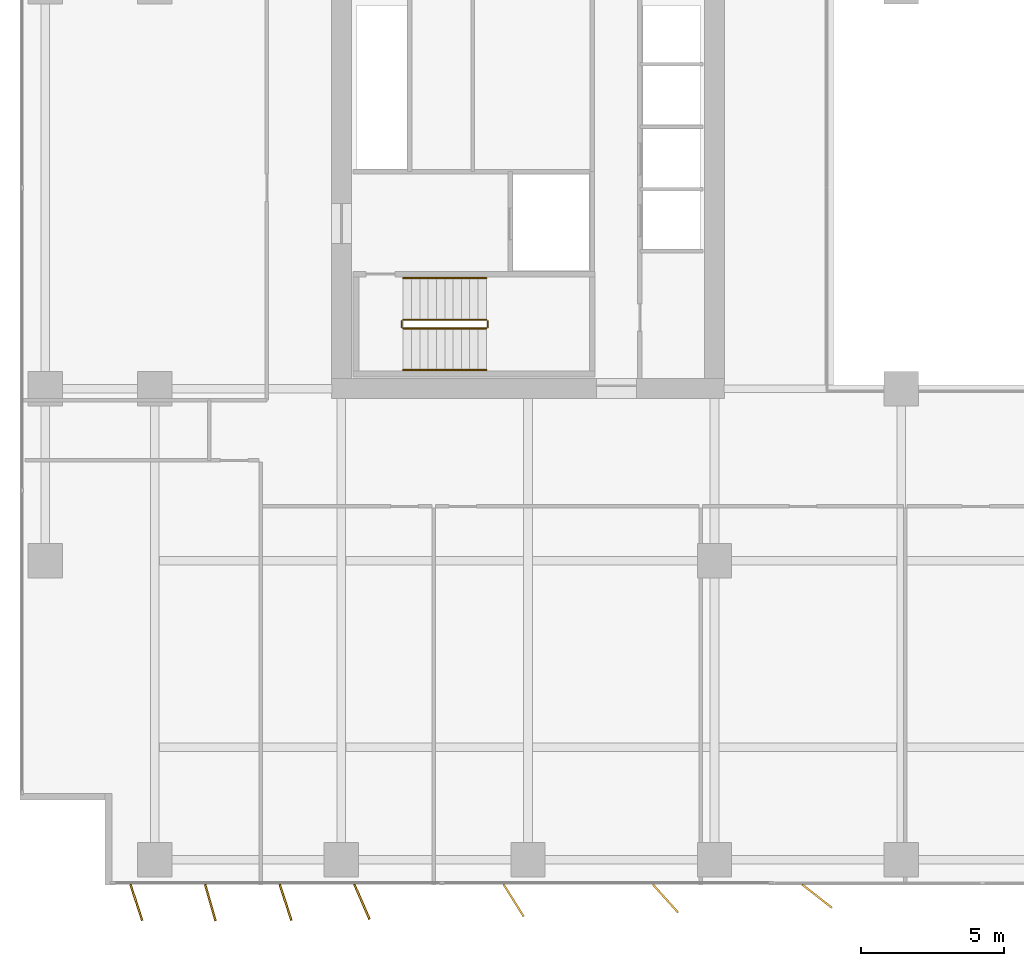
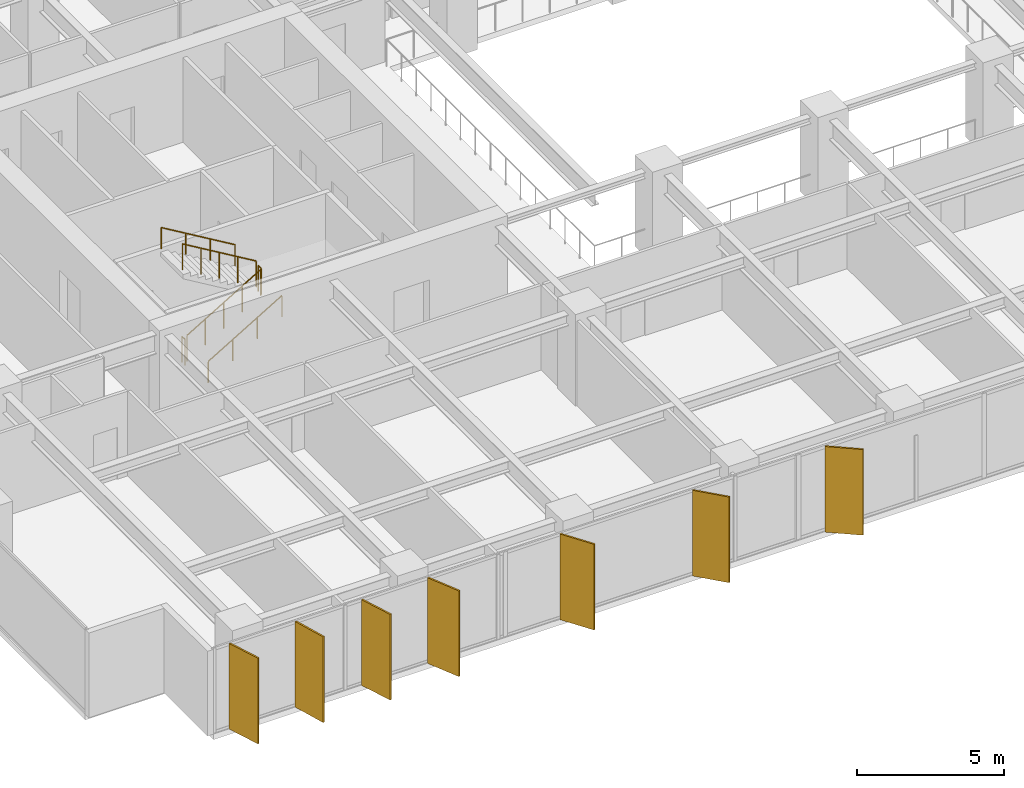
# One storey, part 17 of 20: 7 shading devices, 6 railings.
"""IFC4 building model written with IfcOpenShell, lengths in metres."""

import ifcopenshell
import ifcopenshell.guid

model = None  # the IFC model being written
_history = None  # IfcOwnerHistory: only IFC2X3 demands one
_inside = {}  # id of a spatial element -> (the spatial element, [elements in it])
_under = {}  # id of a project, library or spatial element -> (it, [spatial elements below it])
_declared = {}  # id of a project -> (the project, [libraries it declares])
_typed = {}  # id of a type object -> (the type object, [elements of that type])
_made_of = {}  # id of a material, layer set ... -> (it, [elements and type objects made of it])


def new_model(schema):
    """Start an empty IFC model of exactly this schema.

    Asked for "IFC4X3", IfcOpenShell would pick the latest addendum, in which some entities
    have other attributes; the version numbers below select the first issue.
    IFC2X3 requires an IfcOwnerHistory on every rooted entity: one is made here for all.
    """
    global model, _history
    if schema == "IFC4X3":
        model = ifcopenshell.file(schema_version=(4, 3, 0, 0))
    else:
        model = ifcopenshell.file(schema=schema)
    _inside.clear()
    _under.clear()
    _declared.clear()
    _typed.clear()
    _made_of.clear()
    _history = None
    if model.schema == "IFC2X3":
        org = make("IfcOrganization", Name="unknown")
        user = make(
            "IfcPersonAndOrganization",
            ThePerson=make("IfcPerson", FamilyName="unknown"),
            TheOrganization=org,
        )
        app = make(
            "IfcApplication",
            ApplicationDeveloper=org,
            Version="unknown",
            ApplicationFullName="unknown",
            ApplicationIdentifier="unknown",
        )
        _history = make(
            "IfcOwnerHistory",
            OwningUser=user,
            OwningApplication=app,
            ChangeAction="ADDED",
            CreationDate=0,
        )
    return model


def make(cls, **values):
    """One entity of the class cls with the attributes given. An attribute that is None is left unset."""
    return model.create_entity(
        cls, **{name: value for name, value in values.items() if value is not None}
    )


def rooted(cls, **values):
    """An entity with a GlobalId (a new one), such as an element, a storey or a relation."""
    return make(cls, GlobalId=ifcopenshell.guid.new(), OwnerHistory=_history, **values)


def si_unit(unit_type, name, prefix=None):
    """IfcSIUnit, for example si_unit("LENGTHUNIT", "METRE", prefix="MILLI")."""
    return make("IfcSIUnit", UnitType=unit_type, Prefix=prefix, Name=name)


def assignment(units):
    """IfcUnitAssignment: the units of a project."""
    return None if units is None else make("IfcUnitAssignment", Units=units)


def point(xyz):
    """IfcCartesianPoint."""
    return None if xyz is None else make("IfcCartesianPoint", Coordinates=xyz)


def direction(xyz):
    """IfcDirection."""
    return None if xyz is None else make("IfcDirection", DirectionRatios=xyz)


def frame(location, z_axis=None, x_axis=None):
    """IfcAxis2Placement3D, a coordinate frame: its origin and axes. An axis left out is left unset."""
    return make(
        "IfcAxis2Placement3D",
        Location=point(location),
        Axis=direction(z_axis),
        RefDirection=direction(x_axis),
    )


def frame_2d(location, x_axis=None):
    """IfcAxis2Placement2D, a coordinate frame in the plane: its origin and x axis."""
    return make(
        "IfcAxis2Placement2D", Location=point(location), RefDirection=direction(x_axis)
    )


def origin():
    """The frame at (0, 0, 0) with its axes left unset."""
    return frame((0.0, 0.0, 0.0))


def origin_2d():
    """The frame at (0, 0) in the plane with its x axis left unset."""
    return frame_2d((0.0, 0.0))


def place(relative_to, where):
    """IfcLocalPlacement: puts the frame where relative to a parent placement (None: the world)."""
    return make(
        "IfcLocalPlacement", PlacementRelTo=relative_to, RelativePlacement=where
    )


def context(
    kind, dimensions, precision=None, world=None, true_north=None, identifier=None
):
    """IfcGeometricRepresentationContext, for example the 3D "Model" context."""
    return make(
        "IfcGeometricRepresentationContext",
        ContextIdentifier=identifier,
        ContextType=kind,
        CoordinateSpaceDimension=dimensions,
        Precision=precision,
        WorldCoordinateSystem=world,
        TrueNorth=true_north,
    )


def subcontext(parent, identifier, kind, view, scale=None):
    """IfcGeometricRepresentationSubContext, for example "Body" below "Model"."""
    return make(
        "IfcGeometricRepresentationSubContext",
        ContextIdentifier=identifier,
        ContextType=kind,
        ParentContext=parent,
        TargetScale=scale,
        TargetView=view,
    )


def project(units=None, contexts=None):
    """IfcProject with its units and contexts."""
    return rooted(
        "IfcProject",
        Name="project",
        RepresentationContexts=contexts,
        UnitsInContext=assignment(units),
    )


def spatial(cls, under=None, at=None, **own):
    """A site, building, storey or space (cls), placed at a placement, below another one or the project."""
    s = rooted(cls, ObjectPlacement=at, **own)
    if under is not None:
        _under.setdefault(under.id(), (under, []))[1].append(s)
    return s


def profile(cls, at=None, kind="AREA", **sizes):
    """A parametric profile (cls). Its sizes go by their IFC names, for example OverallWidth=200.0."""
    return make(cls, ProfileType=kind, Position=at, **sizes)


def rectangle(**sizes):
    """IfcRectangleProfileDef."""
    return profile("IfcRectangleProfileDef", **sizes)


def circle(**sizes):
    """IfcCircleProfileDef."""
    return profile("IfcCircleProfileDef", **sizes)


def extrude(swept, where, along, depth):
    """IfcExtrudedAreaSolid: the profile swept, set in the frame where, extruded along a direction by depth."""
    return make(
        "IfcExtrudedAreaSolid",
        SweptArea=swept,
        Position=where,
        ExtrudedDirection=direction(along),
        Depth=depth,
    )


def shape(context_of_items, identifier, shape_type, items):
    """IfcShapeRepresentation: the items that make up one representation, for example the "Body"."""
    return make(
        "IfcShapeRepresentation",
        ContextOfItems=context_of_items,
        RepresentationIdentifier=identifier,
        RepresentationType=shape_type,
        Items=items,
    )


def material(Name=None, Category=None):
    """IfcMaterial."""
    return make("IfcMaterial", Name=Name, Category=Category)


def layer(
    of_material, thickness, ventilated=None, Name=None, Category=None, Priority=None
):
    """IfcMaterialLayer: one layer of a wall or slab, of a material (None: an air gap)."""
    return make(
        "IfcMaterialLayer",
        Material=of_material,
        LayerThickness=thickness,
        IsVentilated=ventilated,
        Name=Name,
        Category=Category,
        Priority=Priority,
    )


def layer_set(layers, Name=None):
    """IfcMaterialLayerSet."""
    return make("IfcMaterialLayerSet", MaterialLayers=layers, LayerSetName=Name)


def made_of(thing, what):
    """Note that an element or type object is made of a material, layer set ...; save() writes the relation."""
    if what is not None:
        _made_of.setdefault(what.id(), (what, []))[1].append(thing)
    return thing


def type_object(cls, material=None, **own):
    """A type object (cls), such as IfcWallType, which elements share."""
    return made_of(rooted(cls, **own), material)


def element(
    cls,
    number,
    at=None,
    inside=None,
    cuts=None,
    type_object=None,
    material=None,
    context=None,
    identifier="Body",
    shape_type=None,
    held_by="IfcProductDefinitionShape",
    body=None,
    shapes=None,
    **own,
):
    """One element of the class cls, such as IfcWall. Its Tag is "e" and its number.

    at: its placement. inside: the storey or other place that contains it. cuts: it is an
    opening in that element (IfcRelVoidsElement). A single representation is given by context,
    identifier, shape_type and body (its items); several are given by shapes. held_by: the class
    of the entity that holds the representations. save() writes the other relations.
    """
    e = rooted(cls, Tag="e%d" % number, ObjectPlacement=at, **own)
    if body is not None:
        shapes = [shape(context, identifier, shape_type, body)]
    if shapes is not None:
        e.Representation = make(held_by, Representations=shapes)
    if inside is not None:
        _inside.setdefault(inside.id(), (inside, []))[1].append(e)
    if cuts is not None:
        rooted(
            "IfcRelVoidsElement", RelatingBuildingElement=cuts, RelatedOpeningElement=e
        )
    if type_object is not None:
        _typed.setdefault(type_object.id(), (type_object, []))[1].append(e)
    return made_of(e, material)


def aggregate(whole, parts):
    """IfcRelAggregates: a whole, such as a stair, and the parts it consists of."""
    return rooted("IfcRelAggregates", RelatingObject=whole, RelatedObjects=parts)


def save(model, path):
    """Write the relations noted so far, then the file.

    IfcRelAggregates (storeys below a building ...), IfcRelContainedInSpatialStructure (elements
    in a storey), IfcRelDefinesByType, IfcRelAssociatesMaterial and IfcRelDeclares: one each for
    every whole, place, type object, material and project.
    """
    for whole, parts in _under.values():
        aggregate(whole, parts)
    for where, things in _inside.values():
        rooted(
            "IfcRelContainedInSpatialStructure",
            RelatedElements=things,
            RelatingStructure=where,
        )
    for kind, things in _typed.values():
        rooted("IfcRelDefinesByType", RelatedObjects=things, RelatingType=kind)
    for what, things in _made_of.values():
        rooted("IfcRelAssociatesMaterial", RelatedObjects=things, RelatingMaterial=what)
    for by, libraries in _declared.values():
        rooted("IfcRelDeclares", RelatingContext=by, RelatedDefinitions=libraries)
    model.write(path)


model = new_model("IFC4")

# Units and contexts
model_context = context("Model", 3, precision=1e-05, world=origin(), true_north=direction((0.0, 1.0)))
body_context = subcontext(model_context, "Body", "Model", "MODEL_VIEW")
ifc_project = project(units=[si_unit("LENGTHUNIT", "METRE"), si_unit("AREAUNIT", "SQUARE_METRE"), si_unit("VOLUMEUNIT", "CUBIC_METRE"), si_unit("PLANEANGLEUNIT", "RADIAN"), si_unit("MASSUNIT", "GRAM", prefix="KILO")], contexts=[model_context])

# Site, building, storey
site_placement = place(None, origin())
site = spatial("IfcSite", under=ifc_project, at=site_placement, CompositionType="ELEMENT")
building_placement = place(site_placement, origin())
building = spatial("IfcBuilding", under=site, at=building_placement, Name="Putna Gate Headquarters", CompositionType="ELEMENT")
storey_placement = place(building_placement, frame((0.0, 0.0, 135.39990234375)))
storey = spatial("IfcBuildingStorey", under=building, at=storey_placement, Name="L33", CompositionType="ELEMENT", Elevation=135.39990234375)

# Railings
ifc_material_1 = material(Name="Powder-coated steel stair guardrail", Category="steel")
railing_type_1 = type_object("IfcRailingType", Name="RAIL-STAIR-GUARD-1100", PredefinedType="GUARDRAIL", material=ifc_material_1)
railing_1_placement = place(storey_placement, frame((15.14990234375, 21.10009765625, 0.1728515625)))
element("IfcRailing", 1, at=railing_1_placement, inside=storey, type_object=railing_type_1, Name="L33 ST1 stair guard 1", PredefinedType="GUARDRAIL", context=body_context, shape_type="SweptSolid", body=[
    extrude(circle(Radius=0.02392578125, at=origin_2d()), frame((0.0, 0.0, 1.076171875), z_axis=(0.859160404282, 0.0, 0.51170636083), x_axis=(0.0, 1.0, 0.0)), (0.0, 0.0, 1.0), 3.37548828125),
    extrude(circle(Radius=0.02099609375, at=origin_2d()), origin(), (0.0, 0.0, 1.0), 1.052001953125),
    extrude(circle(Radius=0.02099609375, at=origin_2d()), frame((0.72509765625, 0.0, 0.431884765625)), (0.0, 0.0, 1.0), 1.052001953125),
    extrude(circle(Radius=0.02099609375, at=origin_2d()), frame((1.4501953125, 0.0, 0.86376953125)), (0.0, 0.0, 1.0), 1.052001953125),
    extrude(circle(Radius=0.02099609375, at=origin_2d()), frame((2.175048828125, 0.0, 1.29541015625)), (0.0, 0.0, 1.0), 1.052001953125),
    extrude(circle(Radius=0.02099609375, at=origin_2d()), frame((2.900146484375, 0.0, 1.727294921875)), (0.0, 0.0, 1.0), 1.052001953125),
])
railing_2_placement = place(storey_placement, frame((18.10009765625, 21.14990234375, 1.900146484375)))
element("IfcRailing", 2, at=railing_2_placement, inside=storey, type_object=railing_type_1, Name="L33 ST1 stair guard 2", PredefinedType="GUARDRAIL", context=body_context, shape_type="SweptSolid", body=[
    extrude(circle(Radius=0.02392578125, at=origin_2d()), frame((0.0, 0.0, 1.076171875), z_axis=(0.0, 1.0, 0.0), x_axis=(-1.0, 0.0, 0.0)), (0.0, 0.0, 1.0), 0.2001953125),
    extrude(circle(Radius=0.02099609375, at=origin_2d()), origin(), (0.0, 0.0, 1.0), 1.052001953125),
    extrude(circle(Radius=0.02099609375, at=origin_2d()), frame((0.0, 0.2001953125, 0.0)), (0.0, 0.0, 1.0), 1.052001953125),
])
railing_3_placement = place(storey_placement, frame((18.050048828125, 21.39990234375, 2.07275390625)))
element("IfcRailing", 3, at=railing_3_placement, inside=storey, type_object=railing_type_1, Name="L33 ST1 stair guard 3", PredefinedType="GUARDRAIL", context=body_context, shape_type="SweptSolid", body=[
    extrude(circle(Radius=0.02392578125, at=origin_2d()), frame((0.0, 0.0, 1.076171875), z_axis=(-0.859160404282, 0.0, 0.51170636083), x_axis=(0.0, -1.0, 0.0)), (0.0, 0.0, 1.0), 3.37548828125),
    extrude(circle(Radius=0.02099609375, at=origin_2d()), origin(), (0.0, 0.0, 1.0), 1.052001953125),
    extrude(circle(Radius=0.02099609375, at=origin_2d()), frame((-0.72509765625, 0.0, 0.431884765625)), (0.0, 0.0, 1.0), 1.052001953125),
    extrude(circle(Radius=0.02099609375, at=origin_2d()), frame((-1.4501953125, 0.0, 0.86376953125)), (0.0, 0.0, 1.0), 1.052001953125),
    extrude(circle(Radius=0.02099609375, at=origin_2d()), frame((-2.175048828125, 0.0, 1.29541015625)), (0.0, 0.0, 1.0), 1.052001953125),
    extrude(circle(Radius=0.02099609375, at=origin_2d()), frame((-2.900146484375, 0.0, 1.727294921875)), (0.0, 0.0, 1.0), 1.052001953125),
])
railing_4_placement = place(storey_placement, frame((15.10009765625, 21.14990234375, 0.0)))
element("IfcRailing", 4, at=railing_4_placement, inside=storey, type_object=railing_type_1, Name="L33 ST1 stair guard 4", PredefinedType="GUARDRAIL", context=body_context, shape_type="SweptSolid", body=[
    extrude(circle(Radius=0.02392578125, at=origin_2d()), frame((0.0, 0.0, 1.076171875), z_axis=(0.0, 1.0, 0.0), x_axis=(-1.0, 0.0, 0.0)), (0.0, 0.0, 1.0), 0.2001953125),
    extrude(circle(Radius=0.02099609375, at=origin_2d()), origin(), (0.0, 0.0, 1.0), 1.052001953125),
    extrude(circle(Radius=0.02099609375, at=origin_2d()), frame((0.0, 0.2001953125, 0.0)), (0.0, 0.0, 1.0), 1.052001953125),
])
ifc_material_2 = material(Name="Brushed stainless steel handrail", Category="steel")
railing_type_2 = type_object("IfcRailingType", Name="RAIL-STAIR-HAND-900", PredefinedType="HANDRAIL", material=ifc_material_2)
railing_5_placement = place(storey_placement, frame((15.14990234375, 19.64990234375, 0.1728515625)))
element("IfcRailing", 5, at=railing_5_placement, inside=storey, type_object=railing_type_2, Name="L33 ST1 stair handrail 1", PredefinedType="HANDRAIL", context=body_context, shape_type="SweptSolid", body=[
    extrude(circle(Radius=0.02392578125, at=origin_2d()), frame((0.0, 0.0, 0.8759765625), z_axis=(0.859160404282, 0.0, 0.51170636083), x_axis=(0.0, 1.0, 0.0)), (0.0, 0.0, 1.0), 3.37548828125),
    extrude(circle(Radius=0.02099609375, at=origin_2d()), origin(), (0.0, 0.0, 1.0), 0.851806640625),
    extrude(circle(Radius=0.02099609375, at=origin_2d()), frame((0.966796875, 0.0, 0.57568359375)), (0.0, 0.0, 1.0), 0.851806640625),
    extrude(circle(Radius=0.02099609375, at=origin_2d()), frame((1.933349609375, 0.0, 1.151611328125)), (0.0, 0.0, 1.0), 0.851806640625),
    extrude(circle(Radius=0.02099609375, at=origin_2d()), frame((2.900146484375, 0.0, 1.727294921875)), (0.0, 0.0, 1.0), 0.851806640625),
])
railing_6_placement = place(storey_placement, frame((18.050048828125, 22.85009765625, 2.07275390625)))
element("IfcRailing", 6, at=railing_6_placement, inside=storey, type_object=railing_type_2, Name="L33 ST1 stair handrail 2", PredefinedType="HANDRAIL", context=body_context, shape_type="SweptSolid", body=[
    extrude(circle(Radius=0.02392578125, at=origin_2d()), frame((0.0, 0.0, 0.8759765625), z_axis=(-0.859160404282, 0.0, 0.51170636083), x_axis=(0.0, -1.0, 0.0)), (0.0, 0.0, 1.0), 3.37548828125),
    extrude(circle(Radius=0.02099609375, at=origin_2d()), origin(), (0.0, 0.0, 1.0), 0.851806640625),
    extrude(circle(Radius=0.02099609375, at=origin_2d()), frame((-0.966796875, 0.0, 0.57568359375)), (0.0, 0.0, 1.0), 0.851806640625),
    extrude(circle(Radius=0.02099609375, at=origin_2d()), frame((-1.933349609375, 0.0, 1.151611328125)), (0.0, 0.0, 1.0), 0.851806640625),
    extrude(circle(Radius=0.02099609375, at=origin_2d()), frame((-2.900146484375, 0.0, 1.727294921875)), (0.0, 0.0, 1.0), 0.851806640625),
])

# Shading devices
ifc_material_3 = material(Name="Anodised architectural bronze aluminium fin", Category="aluminium")
ifc_layer = layer(ifc_material_3, 0.06494140625)
ifc_layer_set = layer_set([ifc_layer], Name="Anodised architectural bronze aluminium fin")
shading_device_type = type_object("IfcShadingDeviceType", Name="SHADE-BRONZE-FIN-1320", PredefinedType="USERDEFINED", material=ifc_layer_set)
for number, where, z_axis, x_axis, name in (
    (7, (5.853759765625, 1.09716796875, -0.02001953125), (0.0, 0.0, 1.0), (0.308684994204, -0.951164325631, 0.0), "L33 Bronze Vertical Shading Fin S1"),
    (8, (8.431884765625, 1.090576171875, -0.02001953125), (0.0, 0.0, 1.0), (0.275637355817, -0.961261695938, 0.0), "L33 Bronze Vertical Shading Fin S2"),
    (9, (11.0537109375, 1.09716796875, -0.02001953125), (0.0, 0.0, 1.0), (0.308684994204, -0.951164325631, 0.0), "L33 Bronze Vertical Shading Fin S3"),
    (10, (13.71435546875, 1.120361328125, -0.02001953125), (0.0, 0.0, 1.0), (0.400668879095, -0.916222925562, 0.0), "L33 Bronze Vertical Shading Fin S4"),
    (11, (19.000244140625, 1.16552734375, -0.02001953125), (0.0, 0.0, 1.0), (0.530659123936, -0.847585331506, 0.0), "L33 Bronze Vertical Shading Fin S5"),
    (12, (24.29150390625, 1.234619140625, -0.02001953125), (0.0, 0.0, 1.0), (0.669130606359, -0.743144825477, 0.0), "L33 Bronze Vertical Shading Fin S6"),
    (13, (29.569580078125, 1.318115234375, -0.02001953125), (0.0, 0.0, 1.0), (0.787473187632, -0.616348909921, 0.0), "L33 Bronze Vertical Shading Fin S7"),
):
    element("IfcShadingDevice", number, at=place(storey_placement, frame(where, z_axis=z_axis, x_axis=x_axis)), inside=storey, type_object=shading_device_type, Name=name, ObjectType="FIN", PredefinedType="USERDEFINED", context=body_context, shape_type="SweptSolid", body=[
        extrude(rectangle(XDim=1.320068359375, YDim=0.06494140625, at=origin_2d()), origin(), (0.0, 0.0, 1.0), 3.56005859375),
    ])

save(model, "model.ifc")
